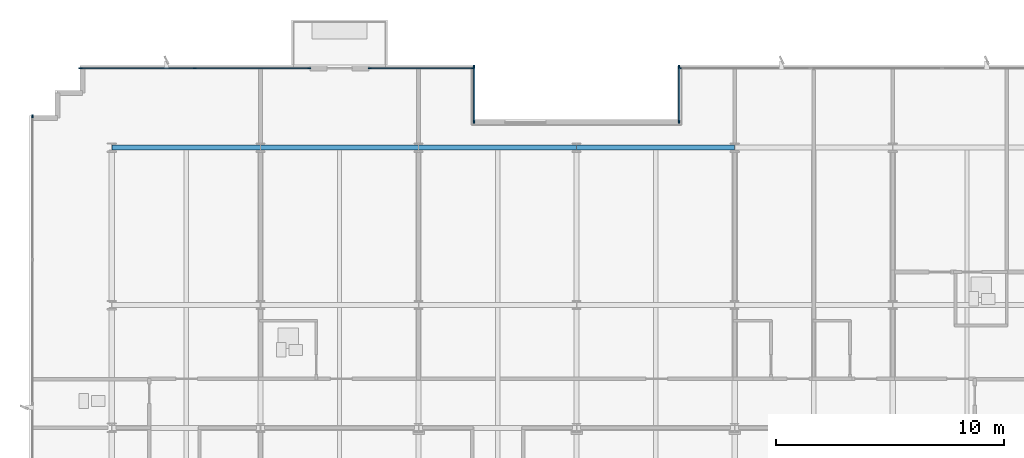
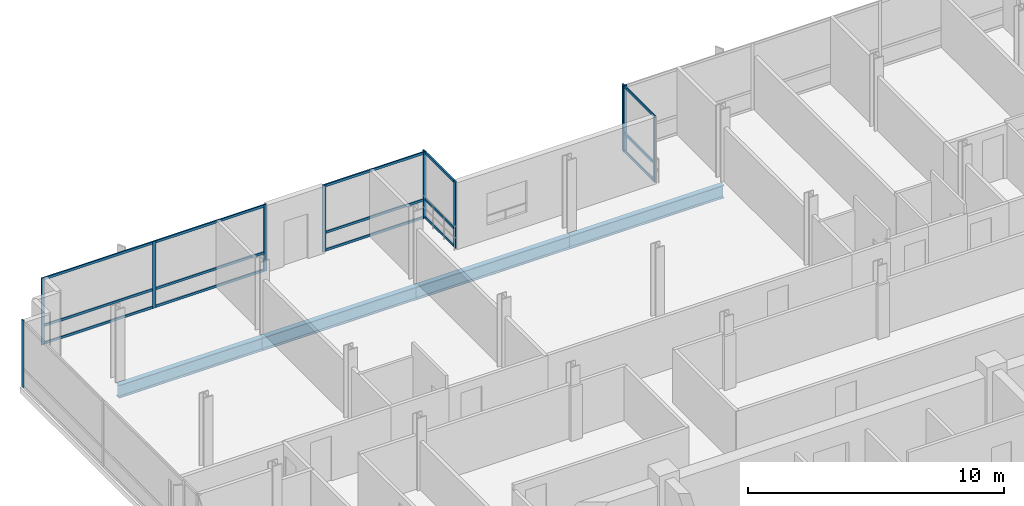
# One storey, part 8 of 17: 26 members, 4 beams, 6 elements without a shape of their own.
"""IFC4 building model written with IfcOpenShell, lengths in metres."""

from ifc_helpers import new_model, si_unit, direction, frame, origin, origin_2d, place, context, subcontext, project, spatial, rectangle, i_section, extrude, material, material_profile, profile_set, type_object, element, aggregate, save


model = new_model("IFC4")

# Units and contexts
model_context = context("Model", 3, precision=1e-05, world=origin(), true_north=direction((0.0, 1.0)))
body_context = subcontext(model_context, "Body", "Model", "MODEL_VIEW")
ifc_project = project(units=[si_unit("LENGTHUNIT", "METRE"), si_unit("AREAUNIT", "SQUARE_METRE"), si_unit("VOLUMEUNIT", "CUBIC_METRE"), si_unit("PLANEANGLEUNIT", "RADIAN"), si_unit("MASSUNIT", "GRAM", prefix="KILO")], contexts=[model_context])

# Site, building, storey
site_placement = place(None, origin())
site = spatial("IfcSite", under=ifc_project, at=site_placement, CompositionType="ELEMENT")
building_placement = place(site_placement, origin())
building = spatial("IfcBuilding", under=site, at=building_placement, Name="Solmavex Isthmus Hotel", CompositionType="ELEMENT")
storey_placement = place(building_placement, frame((0.0, 0.0, 266.10009765625)))
storey = spatial("IfcBuildingStorey", under=building, at=storey_placement, Name="L72", CompositionType="ELEMENT", Elevation=266.10009765625)

# Beams
ifc_material_1 = material(Name="Steel ASTM A992 Grade 50", Category="steel")
ifc_material_profile_1 = material_profile(ifc_material_1, i_section(OverallWidth=0.230224609375, OverallDepth=0.617431640625, WebThickness=0.01318359375, FlangeThickness=0.022216796875, FilletRadius=0.01513671875, at=origin_2d()), Name="W24X94")
ifc_profile_set_1 = profile_set([ifc_material_profile_1], Name="Steel ASTM A992 Grade 50")
beam_type = type_object("IfcBeamType", Name="BM-SP-W24X94", PredefinedType="SPANDREL", material=ifc_profile_set_1)
beam_placement = place(storey_placement, frame((-20.39990234375, 17.699951171875, -0.56884765625), z_axis=(1.0, 0.0, 0.0), x_axis=(0.0, 1.0, 0.0)))
element("IfcBeam", 1, at=beam_placement, inside=storey, type_object=beam_type, Name="Floor Girder L72-UG15", PredefinedType="SPANDREL", context=body_context, shape_type="SweptSolid", body=[
    extrude(i_section(OverallWidth=0.230224609375, OverallDepth=0.617431640625, WebThickness=0.01318359375, FlangeThickness=0.022216796875, FilletRadius=0.01513671875, at=origin_2d()), origin(), (0.0, 0.0, 1.0), 6.52783203125),
])
for number, where, z_axis, x_axis, name in (
    (2, (-13.8720703125, 17.699951171875, -0.56884765625), (1.0, 0.0, 0.0), (0.0, 1.0, 0.0), "Floor Girder L72-UG16"),
    (3, (-6.93603515625, 17.699951171875, -0.56884765625), (1.0, 0.0, 0.0), (0.0, 1.0, 0.0), "Floor Girder L72-UG17"),
    (4, (0.0, 17.699951171875, -0.56884765625), (1.0, 0.0, 0.0), (0.0, 1.0, 0.0), "Floor Girder L72-UG18"),
):
    element("IfcBeam", number, at=place(storey_placement, frame(where, z_axis=z_axis, x_axis=x_axis)), inside=storey, type_object=beam_type, Name=name, PredefinedType="SPANDREL", context=body_context, shape_type="SweptSolid", body=[
        extrude(i_section(OverallWidth=0.230224609375, OverallDepth=0.617431640625, WebThickness=0.01318359375, FlangeThickness=0.022216796875, FilletRadius=0.01513671875, at=origin_2d()), origin(), (0.0, 0.0, 1.0), 6.93603515625),
    ])

# Curtain wall, members
ifc_material_2 = material(Name="Aluminium alloy 6063-T6", Category="aluminium")
curtain_wall_type = type_object("IfcCurtainWallType", Name="CW-SYS-06", PredefinedType="NOTDEFINED", material=ifc_material_2)
curtain_wall_1_placement = place(storey_placement, origin())
curtain_wall_1 = element("IfcCurtainWall", 5, at=curtain_wall_1_placement, inside=storey, type_object=curtain_wall_type, Name="Stick Curtain Wall CWL-L72-SGW", PredefinedType="NOTDEFINED")
ifc_material_profile_2 = material_profile(ifc_material_2, rectangle(XDim=0.06005859375, YDim=0.139892578125, at=origin_2d()), Name="CWM-60X140")
ifc_profile_set_2 = profile_set([ifc_material_profile_2], Name="Aluminium alloy 6063-T6")
member_type_1 = type_object("IfcMemberType", Name="CW-SYS-06-MUL", PredefinedType="MULLION", material=ifc_profile_set_2)
member_1_placement = place(storey_placement, frame((-4.5, 18.830078125, 0.0), z_axis=(0.0, 0.0, 1.0), x_axis=(-1.0, 0.0, 0.0)))
member_1 = element("IfcMember", 6, at=member_1_placement, type_object=member_type_1, Name="CW-06 mullion 1", PredefinedType="MULLION", context=body_context, shape_type="SweptSolid", body=[
    extrude(rectangle(XDim=0.06005859375, YDim=0.139892578125, at=origin_2d()), origin(), (0.0, 0.0, 1.0), 3.18994140625),
])
member_2_placement = place(storey_placement, frame((-4.5, 21.25, 0.0), z_axis=(0.0, 0.0, 1.0), x_axis=(-1.0, 0.0, 0.0)))
member_2 = element("IfcMember", 7, at=member_2_placement, type_object=member_type_1, Name="CW-06 mullion 2", PredefinedType="MULLION", context=body_context, shape_type="SweptSolid", body=[
    extrude(rectangle(XDim=0.06005859375, YDim=0.139892578125, at=origin_2d()), origin(), (0.0, 0.0, 1.0), 3.18994140625),
])

curtain_wall_2_placement = place(storey_placement, origin())
curtain_wall_2 = element("IfcCurtainWall", 8, at=curtain_wall_2_placement, inside=storey, type_object=curtain_wall_type, Name="Stick Curtain Wall CWL-L72-SGE", PredefinedType="NOTDEFINED")
member_3_placement = place(storey_placement, frame((4.5, 18.830078125, 0.0), z_axis=(0.0, 0.0, 1.0), x_axis=(-1.0, 0.0, 0.0)))
member_3 = element("IfcMember", 9, at=member_3_placement, type_object=member_type_1, Name="CW-06 mullion 1", PredefinedType="MULLION", context=body_context, shape_type="SweptSolid", body=[
    extrude(rectangle(XDim=0.06005859375, YDim=0.139892578125, at=origin_2d()), origin(), (0.0, 0.0, 1.0), 3.18994140625),
])
member_4_placement = place(storey_placement, frame((4.5, 21.25, 0.0), z_axis=(0.0, 0.0, 1.0), x_axis=(-1.0, 0.0, 0.0)))
member_4 = element("IfcMember", 10, at=member_4_placement, type_object=member_type_1, Name="CW-06 mullion 2", PredefinedType="MULLION", context=body_context, shape_type="SweptSolid", body=[
    extrude(rectangle(XDim=0.06005859375, YDim=0.139892578125, at=origin_2d()), origin(), (0.0, 0.0, 1.0), 3.18994140625),
])

curtain_wall_3_placement = place(storey_placement, origin())
curtain_wall_3 = element("IfcCurtainWall", 11, at=curtain_wall_3_placement, inside=storey, type_object=curtain_wall_type, Name="Stick Curtain Wall CWL-L72-N1", PredefinedType="NOTDEFINED")
member_5_placement = place(storey_placement, frame((-21.77001953125, 21.179931640625, 0.0), z_axis=(0.0, 0.0, 1.0), x_axis=(0.0, 1.0, 0.0)))
member_5 = element("IfcMember", 12, at=member_5_placement, type_object=member_type_1, Name="CW-06 mullion 1", PredefinedType="MULLION", context=body_context, shape_type="SweptSolid", body=[
    extrude(rectangle(XDim=0.06005859375, YDim=0.139892578125, at=origin_2d()), origin(), (0.0, 0.0, 1.0), 3.18994140625),
])
member_6_placement = place(storey_placement, frame((-16.751953125, 21.179931640625, 0.0), z_axis=(0.0, 0.0, 1.0), x_axis=(0.0, 1.0, 0.0)))
member_6 = element("IfcMember", 13, at=member_6_placement, type_object=member_type_1, Name="CW-06 mullion 2", PredefinedType="MULLION", context=body_context, shape_type="SweptSolid", body=[
    extrude(rectangle(XDim=0.06005859375, YDim=0.139892578125, at=origin_2d()), origin(), (0.0, 0.0, 1.0), 3.18994140625),
])
member_7_placement = place(storey_placement, frame((-11.73388671875, 21.179931640625, 0.0), z_axis=(0.0, 0.0, 1.0), x_axis=(0.0, 1.0, 0.0)))
member_7 = element("IfcMember", 14, at=member_7_placement, type_object=member_type_1, Name="CW-06 mullion 3", PredefinedType="MULLION", context=body_context, shape_type="SweptSolid", body=[
    extrude(rectangle(XDim=0.06005859375, YDim=0.139892578125, at=origin_2d()), origin(), (0.0, 0.0, 1.0), 3.18994140625),
])

curtain_wall_4_placement = place(storey_placement, origin())
curtain_wall_4 = element("IfcCurtainWall", 15, at=curtain_wall_4_placement, inside=storey, type_object=curtain_wall_type, Name="Stick Curtain Wall CWL-L72-N2", PredefinedType="NOTDEFINED")
member_8_placement = place(storey_placement, frame((-9.073974609375, 21.179931640625, 0.0), z_axis=(0.0, 0.0, 1.0), x_axis=(0.0, 1.0, 0.0)))
member_8 = element("IfcMember", 16, at=member_8_placement, type_object=member_type_1, Name="CW-06 mullion 1", PredefinedType="MULLION", context=body_context, shape_type="SweptSolid", body=[
    extrude(rectangle(XDim=0.06005859375, YDim=0.139892578125, at=origin_2d()), origin(), (0.0, 0.0, 1.0), 3.18994140625),
])
member_9_placement = place(storey_placement, frame((-4.530029296875, 21.179931640625, 0.0), z_axis=(0.0, 0.0, 1.0), x_axis=(0.0, 1.0, 0.0)))
member_9 = element("IfcMember", 17, at=member_9_placement, type_object=member_type_1, Name="CW-06 mullion 2", PredefinedType="MULLION", context=body_context, shape_type="SweptSolid", body=[
    extrude(rectangle(XDim=0.06005859375, YDim=0.139892578125, at=origin_2d()), origin(), (0.0, 0.0, 1.0), 3.18994140625),
])

# Curtain wall, member
curtain_wall_5_placement = place(storey_placement, origin())
curtain_wall_5 = element("IfcCurtainWall", 18, at=curtain_wall_5_placement, inside=storey, type_object=curtain_wall_type, Name="Stick Curtain Wall CWL-L72-N3", PredefinedType="NOTDEFINED")
member_10_placement = place(storey_placement, frame((4.530029296875, 21.179931640625, 0.0), z_axis=(0.0, 0.0, 1.0), x_axis=(0.0, 1.0, 0.0)))
member_10 = element("IfcMember", 19, at=member_10_placement, type_object=member_type_1, Name="CW-06 mullion 1", PredefinedType="MULLION", context=body_context, shape_type="SweptSolid", body=[
    extrude(rectangle(XDim=0.06005859375, YDim=0.139892578125, at=origin_2d()), origin(), (0.0, 0.0, 1.0), 3.18994140625),
])
aggregate(curtain_wall_5, [member_10])

curtain_wall_6_placement = place(storey_placement, origin())
curtain_wall_6 = element("IfcCurtainWall", 20, at=curtain_wall_6_placement, inside=storey, type_object=curtain_wall_type, Name="Stick Curtain Wall CWL-L72-W1", PredefinedType="NOTDEFINED")
member_11_placement = place(storey_placement, frame((-23.8798828125, 19.070068359375, 0.0), z_axis=(0.0, 0.0, 1.0), x_axis=(-1.0, 0.0, 0.0)))
member_11 = element("IfcMember", 21, at=member_11_placement, type_object=member_type_1, Name="CW-06 mullion 6", PredefinedType="MULLION", context=body_context, shape_type="SweptSolid", body=[
    extrude(rectangle(XDim=0.06005859375, YDim=0.139892578125, at=origin_2d()), origin(), (0.0, 0.0, 1.0), 3.18994140625),
])
aggregate(curtain_wall_6, [member_11])

# Member
ifc_material_profile_3 = material_profile(ifc_material_2, rectangle(XDim=0.06005859375, YDim=0.114990234375, at=origin_2d()), Name="CWT-60X115")
ifc_profile_set_3 = profile_set([ifc_material_profile_3], Name="Aluminium alloy 6063-T6")
member_type_2 = type_object("IfcMemberType", Name="CW-SYS-06-TRN", PredefinedType="USERDEFINED", material=ifc_profile_set_3)
member_12_placement = place(storey_placement, frame((-4.5, 18.860107421875, 0.057373046875), z_axis=(0.0, 1.0, 0.0), x_axis=(-1.0, 0.0, 0.0)))
member_12 = element("IfcMember", 22, at=member_12_placement, type_object=member_type_2, Name="CW-06 transom 1.1", ObjectType="TRANSOM", PredefinedType="USERDEFINED", context=body_context, shape_type="SweptSolid", body=[
    extrude(rectangle(XDim=0.06005859375, YDim=0.114990234375, at=origin_2d()), origin(), (0.0, 0.0, 1.0), 2.35986328125),
])

member_13_placement = place(storey_placement, frame((-4.5, 18.860107421875, 0.89990234375), z_axis=(0.0, 1.0, 0.0), x_axis=(-1.0, 0.0, 0.0)))
member_13 = element("IfcMember", 23, at=member_13_placement, type_object=member_type_2, Name="CW-06 transom 1.2", ObjectType="TRANSOM", PredefinedType="USERDEFINED", context=body_context, shape_type="SweptSolid", body=[
    extrude(rectangle(XDim=0.06005859375, YDim=0.114990234375, at=origin_2d()), origin(), (0.0, 0.0, 1.0), 2.35986328125),
])

member_14_placement = place(storey_placement, frame((-4.5, 18.860107421875, 3.13232421875), z_axis=(0.0, 1.0, 0.0), x_axis=(-1.0, 0.0, 0.0)))
member_14 = element("IfcMember", 24, at=member_14_placement, type_object=member_type_2, Name="CW-06 transom 1.3", ObjectType="TRANSOM", PredefinedType="USERDEFINED", context=body_context, shape_type="SweptSolid", body=[
    extrude(rectangle(XDim=0.06005859375, YDim=0.114990234375, at=origin_2d()), origin(), (0.0, 0.0, 1.0), 2.35986328125),
])

aggregate(curtain_wall_1, [member_1, member_2, member_12, member_13, member_14])

member_15_placement = place(storey_placement, frame((4.5, 18.860107421875, 0.057373046875), z_axis=(0.0, 1.0, 0.0), x_axis=(-1.0, 0.0, 0.0)))
member_15 = element("IfcMember", 25, at=member_15_placement, type_object=member_type_2, Name="CW-06 transom 1.1", ObjectType="TRANSOM", PredefinedType="USERDEFINED", context=body_context, shape_type="SweptSolid", body=[
    extrude(rectangle(XDim=0.06005859375, YDim=0.114990234375, at=origin_2d()), origin(), (0.0, 0.0, 1.0), 2.35986328125),
])

member_16_placement = place(storey_placement, frame((4.5, 18.860107421875, 0.89990234375), z_axis=(0.0, 1.0, 0.0), x_axis=(-1.0, 0.0, 0.0)))
member_16 = element("IfcMember", 26, at=member_16_placement, type_object=member_type_2, Name="CW-06 transom 1.2", ObjectType="TRANSOM", PredefinedType="USERDEFINED", context=body_context, shape_type="SweptSolid", body=[
    extrude(rectangle(XDim=0.06005859375, YDim=0.114990234375, at=origin_2d()), origin(), (0.0, 0.0, 1.0), 2.35986328125),
])

member_17_placement = place(storey_placement, frame((4.5, 18.860107421875, 3.13232421875), z_axis=(0.0, 1.0, 0.0), x_axis=(-1.0, 0.0, 0.0)))
member_17 = element("IfcMember", 27, at=member_17_placement, type_object=member_type_2, Name="CW-06 transom 1.3", ObjectType="TRANSOM", PredefinedType="USERDEFINED", context=body_context, shape_type="SweptSolid", body=[
    extrude(rectangle(XDim=0.06005859375, YDim=0.114990234375, at=origin_2d()), origin(), (0.0, 0.0, 1.0), 2.35986328125),
])

aggregate(curtain_wall_2, [member_3, member_4, member_15, member_16, member_17])

member_18_placement = place(storey_placement, frame((-21.739990234375, 21.179931640625, 0.057373046875), z_axis=(1.0, 0.0, 0.0), x_axis=(0.0, 1.0, 0.0)))
member_18 = element("IfcMember", 28, at=member_18_placement, type_object=member_type_2, Name="CW-06 transom 1.1", ObjectType="TRANSOM", PredefinedType="USERDEFINED", context=body_context, shape_type="SweptSolid", body=[
    extrude(rectangle(XDim=0.06005859375, YDim=0.114990234375, at=origin_2d()), origin(), (0.0, 0.0, 1.0), 4.9580078125),
])

member_19_placement = place(storey_placement, frame((-21.739990234375, 21.179931640625, 0.89990234375), z_axis=(1.0, 0.0, 0.0), x_axis=(0.0, 1.0, 0.0)))
member_19 = element("IfcMember", 29, at=member_19_placement, type_object=member_type_2, Name="CW-06 transom 1.2", ObjectType="TRANSOM", PredefinedType="USERDEFINED", context=body_context, shape_type="SweptSolid", body=[
    extrude(rectangle(XDim=0.06005859375, YDim=0.114990234375, at=origin_2d()), origin(), (0.0, 0.0, 1.0), 4.9580078125),
])

member_20_placement = place(storey_placement, frame((-21.739990234375, 21.179931640625, 3.13232421875), z_axis=(1.0, 0.0, 0.0), x_axis=(0.0, 1.0, 0.0)))
member_20 = element("IfcMember", 30, at=member_20_placement, type_object=member_type_2, Name="CW-06 transom 1.3", ObjectType="TRANSOM", PredefinedType="USERDEFINED", context=body_context, shape_type="SweptSolid", body=[
    extrude(rectangle(XDim=0.06005859375, YDim=0.114990234375, at=origin_2d()), origin(), (0.0, 0.0, 1.0), 4.9580078125),
])

member_21_placement = place(storey_placement, frame((-16.721923828125, 21.179931640625, 0.057373046875), z_axis=(1.0, 0.0, 0.0), x_axis=(0.0, 1.0, 0.0)))
member_21 = element("IfcMember", 31, at=member_21_placement, type_object=member_type_2, Name="CW-06 transom 2.1", ObjectType="TRANSOM", PredefinedType="USERDEFINED", context=body_context, shape_type="SweptSolid", body=[
    extrude(rectangle(XDim=0.06005859375, YDim=0.114990234375, at=origin_2d()), origin(), (0.0, 0.0, 1.0), 4.9580078125),
])

member_22_placement = place(storey_placement, frame((-16.721923828125, 21.179931640625, 0.89990234375), z_axis=(1.0, 0.0, 0.0), x_axis=(0.0, 1.0, 0.0)))
member_22 = element("IfcMember", 32, at=member_22_placement, type_object=member_type_2, Name="CW-06 transom 2.2", ObjectType="TRANSOM", PredefinedType="USERDEFINED", context=body_context, shape_type="SweptSolid", body=[
    extrude(rectangle(XDim=0.06005859375, YDim=0.114990234375, at=origin_2d()), origin(), (0.0, 0.0, 1.0), 4.9580078125),
])

member_23_placement = place(storey_placement, frame((-16.721923828125, 21.179931640625, 3.13232421875), z_axis=(1.0, 0.0, 0.0), x_axis=(0.0, 1.0, 0.0)))
member_23 = element("IfcMember", 33, at=member_23_placement, type_object=member_type_2, Name="CW-06 transom 2.3", ObjectType="TRANSOM", PredefinedType="USERDEFINED", context=body_context, shape_type="SweptSolid", body=[
    extrude(rectangle(XDim=0.06005859375, YDim=0.114990234375, at=origin_2d()), origin(), (0.0, 0.0, 1.0), 4.9580078125),
])

aggregate(curtain_wall_3, [member_5, member_6, member_7, member_18, member_19, member_20, member_21, member_22, member_23])

member_24_placement = place(storey_placement, frame((-9.0439453125, 21.179931640625, 0.057373046875), z_axis=(1.0, 0.0, 0.0), x_axis=(0.0, 1.0, 0.0)))
member_24 = element("IfcMember", 34, at=member_24_placement, type_object=member_type_2, Name="CW-06 transom 1.1", ObjectType="TRANSOM", PredefinedType="USERDEFINED", context=body_context, shape_type="SweptSolid", body=[
    extrude(rectangle(XDim=0.06005859375, YDim=0.114990234375, at=origin_2d()), origin(), (0.0, 0.0, 1.0), 4.48388671875),
])

member_25_placement = place(storey_placement, frame((-9.0439453125, 21.179931640625, 0.89990234375), z_axis=(1.0, 0.0, 0.0), x_axis=(0.0, 1.0, 0.0)))
member_25 = element("IfcMember", 35, at=member_25_placement, type_object=member_type_2, Name="CW-06 transom 1.2", ObjectType="TRANSOM", PredefinedType="USERDEFINED", context=body_context, shape_type="SweptSolid", body=[
    extrude(rectangle(XDim=0.06005859375, YDim=0.114990234375, at=origin_2d()), origin(), (0.0, 0.0, 1.0), 4.48388671875),
])

member_26_placement = place(storey_placement, frame((-9.0439453125, 21.179931640625, 3.13232421875), z_axis=(1.0, 0.0, 0.0), x_axis=(0.0, 1.0, 0.0)))
member_26 = element("IfcMember", 36, at=member_26_placement, type_object=member_type_2, Name="CW-06 transom 1.3", ObjectType="TRANSOM", PredefinedType="USERDEFINED", context=body_context, shape_type="SweptSolid", body=[
    extrude(rectangle(XDim=0.06005859375, YDim=0.114990234375, at=origin_2d()), origin(), (0.0, 0.0, 1.0), 4.48388671875),
])

aggregate(curtain_wall_4, [member_8, member_9, member_24, member_25, member_26])

save(model, "model.ifc")
